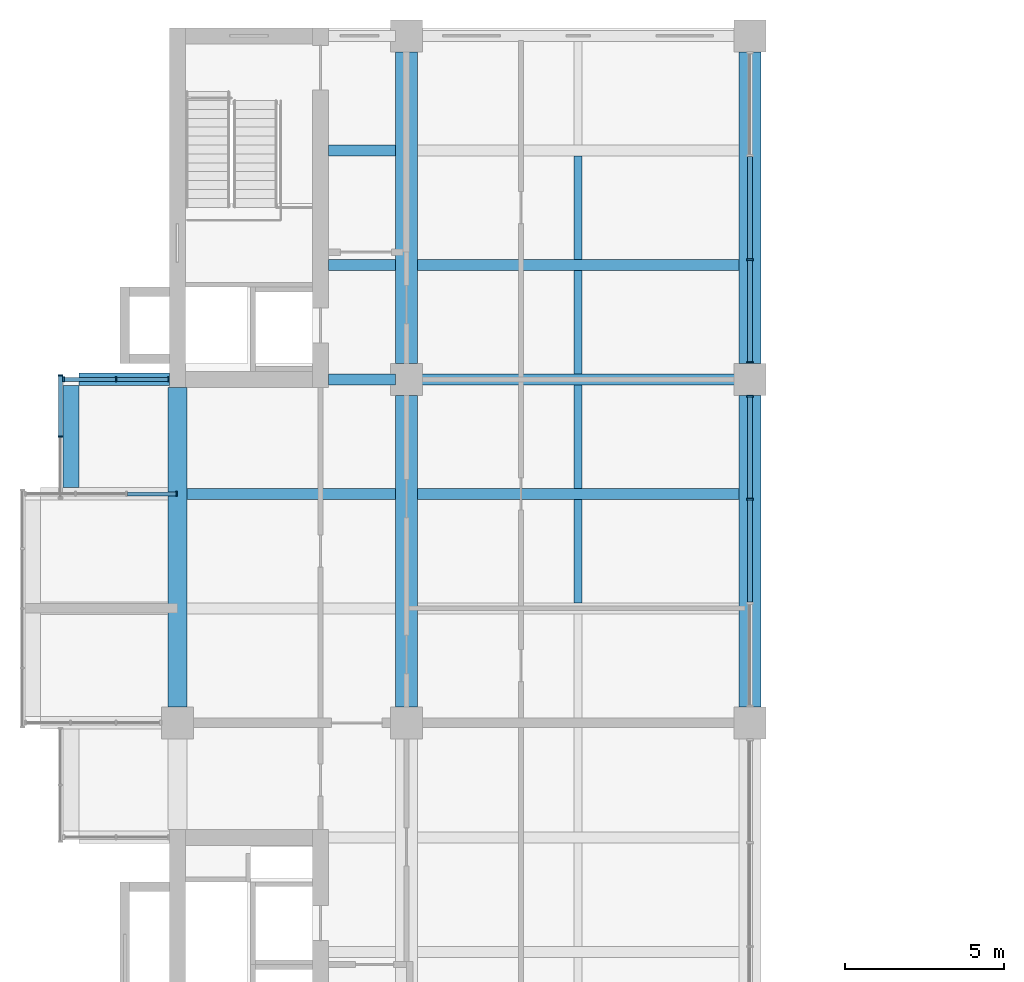
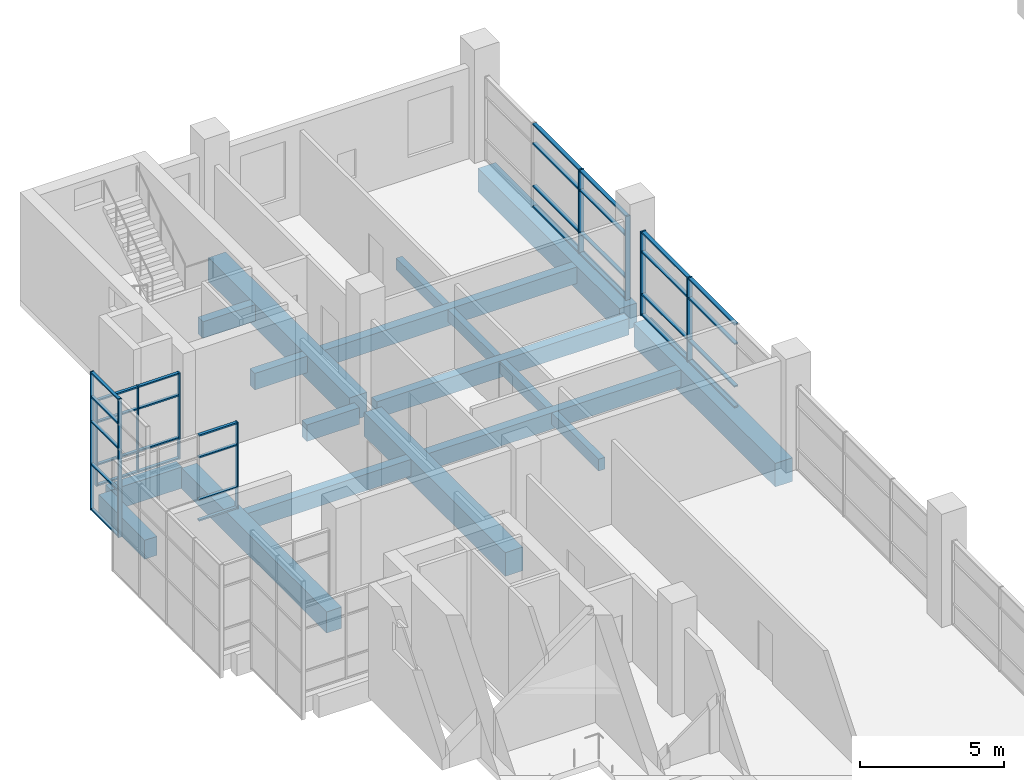
# One storey, part 9 of 30: 43 members, 18 beams, 5 elements without a shape of their own.
"""IFC4 building model written with IfcOpenShell, lengths in metres."""

from ifc_helpers import new_model, si_unit, direction, frame, origin, origin_2d, place, context, subcontext, project, spatial, rectangle, extrude, material, layer, layer_set, material_profile, profile_set, type_object, element, aggregate, save


model = new_model("IFC4")

# Units and contexts
model_context = context("Model", 3, precision=1e-05, world=origin(), true_north=direction((0.0, 1.0)))
body_context = subcontext(model_context, "Body", "Model", "MODEL_VIEW")
ifc_project = project(units=[si_unit("LENGTHUNIT", "METRE"), si_unit("AREAUNIT", "SQUARE_METRE"), si_unit("VOLUMEUNIT", "CUBIC_METRE"), si_unit("PLANEANGLEUNIT", "RADIAN"), si_unit("MASSUNIT", "GRAM", prefix="KILO")], contexts=[model_context])

# Site, building, storey
site_placement = place(None, origin())
site = spatial("IfcSite", under=ifc_project, at=site_placement, CompositionType="ELEMENT")
building_placement = place(site_placement, origin())
building = spatial("IfcBuilding", under=site, at=building_placement, Name="Basin Gate Institute", CompositionType="ELEMENT")
storey_placement = place(building_placement, frame((0.0, 0.0, 36.60009765625)))
storey = spatial("IfcBuildingStorey", under=building, at=storey_placement, Name="L07", CompositionType="ELEMENT", Elevation=36.60009765625)

# Beams
ifc_material_1 = material(Name="Concrete 40 MPa", Category="concrete")
ifc_material_profile_1 = material_profile(ifc_material_1, rectangle(XDim=0.35009765625, YDim=0.699951171875, at=origin_2d()), Name="Beam B1 350 x 700")
ifc_profile_set_1 = profile_set([ifc_material_profile_1], Name="Concrete 40 MPa")
beam_type_1 = type_object("IfcBeamType", Name="Beam B1 R120", PredefinedType="BEAM", material=ifc_profile_set_1)
beam_1_placement = place(storey_placement, frame((68.75, 85.5, -0.60009765625), z_axis=(1.0, 0.0, 0.0), x_axis=(0.0, 1.0, 0.0)))
element("IfcBeam", 1, at=beam_1_placement, inside=storey, type_object=beam_type_1, material=ifc_profile_set_1, Name="BEAM/L07/W/EW/15", PredefinedType="BEAM", context=body_context, shape_type="SweptSolid", body=[
    extrude(rectangle(XDim=0.35009765625, YDim=0.699951171875, at=origin_2d()), origin(), (0.0, 0.0, 1.0), 10.10009765625),
])
beam_2_placement = place(storey_placement, frame((61.5, 85.5, -0.60009765625), z_axis=(1.0, 0.0, 0.0), x_axis=(0.0, 1.0, 0.0)))
element("IfcBeam", 2, at=beam_2_placement, inside=storey, type_object=beam_type_1, material=ifc_profile_set_1, Name="BEAM/L07/W/OUT/15", PredefinedType="BEAM", context=body_context, shape_type="SweptSolid", body=[
    extrude(rectangle(XDim=0.35009765625, YDim=0.699951171875, at=origin_2d()), origin(), (0.0, 0.0, 1.0), 6.550048828125),
])
beam_3_placement = place(storey_placement, frame((68.75, 89.10009765625, -0.60009765625), z_axis=(1.0, 0.0, 0.0), x_axis=(0.0, 1.0, 0.0)))
element("IfcBeam", 3, at=beam_3_placement, inside=storey, type_object=beam_type_1, material=ifc_profile_set_1, Name="BEAM/L07/W/EW/16", PredefinedType="BEAM", context=body_context, shape_type="SweptSolid", body=[
    extrude(rectangle(XDim=0.35009765625, YDim=0.699951171875, at=origin_2d()), origin(), (0.0, 0.0, 1.0), 10.10009765625),
])
beam_4_placement = place(storey_placement, frame((65.949951171875, 89.10009765625, -0.60009765625), z_axis=(1.0, 0.0, 0.0), x_axis=(0.0, 1.0, 0.0)))
element("IfcBeam", 4, at=beam_4_placement, inside=storey, type_object=beam_type_1, material=ifc_profile_set_1, Name="BEAM/L07/W/CORR/16", PredefinedType="BEAM", context=body_context, shape_type="SweptSolid", body=[
    extrude(rectangle(XDim=0.35009765625, YDim=0.699951171875, at=origin_2d()), origin(), (0.0, 0.0, 1.0), 2.10009765625),
])
beam_5_placement = place(storey_placement, frame((68.75, 92.699951171875, -0.60009765625), z_axis=(1.0, 0.0, 0.0), x_axis=(0.0, 1.0, 0.0)))
element("IfcBeam", 5, at=beam_5_placement, inside=storey, type_object=beam_type_1, material=ifc_profile_set_1, Name="BEAM/L07/W/EW/17", PredefinedType="BEAM", context=body_context, shape_type="SweptSolid", body=[
    extrude(rectangle(XDim=0.35009765625, YDim=0.699951171875, at=origin_2d()), origin(), (0.0, 0.0, 1.0), 10.10009765625),
])
for number, where, z_axis, x_axis, name in (
    (6, (65.949951171875, 92.699951171875, -0.60009765625), (1.0, 0.0, 0.0), (0.0, 1.0, 0.0), "BEAM/L07/W/CORR/17"),
    (7, (65.949951171875, 96.300048828125, -0.60009765625), (1.0, 0.0, 0.0), (0.0, 1.0, 0.0), "BEAM/L07/W/CORR/18"),
):
    element("IfcBeam", number, at=place(storey_placement, frame(where, z_axis=z_axis, x_axis=x_axis)), inside=storey, type_object=beam_type_1, material=ifc_profile_set_1, Name=name, PredefinedType="BEAM", context=body_context, shape_type="SweptSolid", body=[
        extrude(rectangle(XDim=0.35009765625, YDim=0.699951171875, at=origin_2d()), origin(), (0.0, 0.0, 1.0), 2.10009765625),
    ])
ifc_material_2 = material(Name="Concrete 50 MPa", Category="concrete")
ifc_material_profile_2 = material_profile(ifc_material_2, rectangle(XDim=0.39990234375, YDim=0.89990234375, at=origin_2d()), Name="Cantilever beam B3 400 x 900")
ifc_profile_set_2 = profile_set([ifc_material_profile_2], Name="Concrete 50 MPa")
beam_type_2 = type_object("IfcBeamType", Name="Cantilever beam B3 R120", PredefinedType="BEAM", material=ifc_profile_set_2)
beam_6_placement = place(storey_placement, frame((58.10009765625, 89.10009765625, -0.7001953125), z_axis=(1.0, 0.0, 0.0), x_axis=(0.0, 1.0, 0.0)))
element("IfcBeam", 8, at=beam_6_placement, inside=storey, type_object=beam_type_2, material=ifc_profile_set_2, Name="BEAM/L07/W/CANT/16", PredefinedType="BEAM", context=body_context, shape_type="SweptSolid", body=[
    extrude(rectangle(XDim=0.39990234375, YDim=0.89990234375, at=origin_2d()), origin(), (0.0, 0.0, 1.0), 2.849853515625),
])
ifc_material_3 = material(Name="Concrete 50 MPa", Category="concrete")
ifc_material_profile_3 = material_profile(ifc_material_3, rectangle(XDim=0.60009765625, YDim=0.89990234375, at=origin_2d()), Name="Edge beam EB1 600 x 900")
ifc_profile_set_3 = profile_set([ifc_material_profile_3], Name="Concrete 50 MPa")
beam_type_3 = type_object("IfcBeamType", Name="Edge beam EB1 R120", PredefinedType="SPANDREL", material=ifc_profile_set_3)
beam_7_placement = place(storey_placement, frame((61.199951171875, 78.800048828125, -0.7001953125), z_axis=(0.0, 1.0, 0.0), x_axis=(-1.0, 0.0, 0.0)))
element("IfcBeam", 9, at=beam_7_placement, inside=storey, type_object=beam_type_3, material=ifc_profile_set_3, Name="BEAM/L07/W/EDGE/4", PredefinedType="SPANDREL", context=body_context, shape_type="SweptSolid", body=[
    extrude(rectangle(XDim=0.60009765625, YDim=0.89990234375, at=origin_2d()), origin(), (0.0, 0.0, 1.0), 10.050048828125),
])
ifc_material_4 = material(Name="Concrete 50 MPa", Category="concrete")
ifc_material_profile_4 = material_profile(ifc_material_4, rectangle(XDim=0.699951171875, YDim=1.0, at=origin_2d()), Name="Girder G1 700 x 1000")
ifc_profile_set_4 = profile_set([ifc_material_profile_4], Name="Concrete 50 MPa")
beam_type_4 = type_object("IfcBeamType", Name="Girder G1 R120", PredefinedType="BEAM", material=ifc_profile_set_4)
beam_8_placement = place(storey_placement, frame((68.39990234375, 78.800048828125, -0.75), z_axis=(0.0, 1.0, 0.0), x_axis=(-1.0, 0.0, 0.0)))
element("IfcBeam", 10, at=beam_8_placement, inside=storey, type_object=beam_type_4, material=ifc_profile_set_4, Name="GIR/L07/W5/5", PredefinedType="BEAM", context=body_context, shape_type="SweptSolid", body=[
    extrude(rectangle(XDim=0.699951171875, YDim=1.0, at=origin_2d()), origin(), (0.0, 0.0, 1.0), 9.800048828125),
])
beam_9_placement = place(storey_placement, frame((68.39990234375, 89.60009765625, -0.75), z_axis=(0.0, 1.0, 0.0), x_axis=(-1.0, 0.0, 0.0)))
element("IfcBeam", 11, at=beam_9_placement, inside=storey, type_object=beam_type_4, material=ifc_profile_set_4, Name="GIR/L07/W5/6", PredefinedType="BEAM", context=body_context, shape_type="SweptSolid", body=[
    extrude(rectangle(XDim=0.699951171875, YDim=1.0, at=origin_2d()), origin(), (0.0, 0.0, 1.0), 9.7998046875),
])
beam_10_placement = place(storey_placement, frame((79.199951171875, 78.800048828125, -0.75), z_axis=(0.0, 1.0, 0.0), x_axis=(-1.0, 0.0, 0.0)))
element("IfcBeam", 12, at=beam_10_placement, inside=storey, type_object=beam_type_4, material=ifc_profile_set_4, Name="GIR/L07/W6/5", PredefinedType="BEAM", context=body_context, shape_type="SweptSolid", body=[
    extrude(rectangle(XDim=0.699951171875, YDim=1.0, at=origin_2d()), origin(), (0.0, 0.0, 1.0), 9.800048828125),
])
beam_11_placement = place(storey_placement, frame((79.199951171875, 89.60009765625, -0.75), z_axis=(0.0, 1.0, 0.0), x_axis=(-1.0, 0.0, 0.0)))
element("IfcBeam", 13, at=beam_11_placement, inside=storey, type_object=beam_type_4, material=ifc_profile_set_4, Name="GIR/L07/W6/6", PredefinedType="BEAM", context=body_context, shape_type="SweptSolid", body=[
    extrude(rectangle(XDim=0.699951171875, YDim=1.0, at=origin_2d()), origin(), (0.0, 0.0, 1.0), 9.7998046875),
])

# Curtain wall, member
ifc_material_5 = material(Name="Aluminium-framed glazing", Category="aluminium")
ifc_layer_1 = layer(ifc_material_5, 0.14990234375)
ifc_layer_set_1 = layer_set([ifc_layer_1], Name="Capsule front curtain wall CW1")
curtain_wall_type_1 = type_object("IfcCurtainWallType", Name="Capsule front curtain wall CW1", PredefinedType="NOTDEFINED", material=ifc_layer_set_1)
curtain_wall_1_placement = place(storey_placement, origin())
curtain_wall_1 = element("IfcCurtainWall", 14, at=curtain_wall_1_placement, inside=storey, type_object=curtain_wall_type_1, material=ifc_layer_set_1, Name="Capsule front curtain wall W wing capsule end L07 line 15", PredefinedType="NOTDEFINED")
ifc_material_6 = material(Name="Aluminium", Category="aluminium")
ifc_material_profile_5 = material_profile(ifc_material_6, rectangle(XDim=0.14990234375, YDim=0.050048828125, at=origin_2d()), Name="Mullion MU1 150 x 50")
ifc_profile_set_5 = profile_set([ifc_material_profile_5], Name="Aluminium")
member_type_1 = type_object("IfcMemberType", Name="Mullion MU1", PredefinedType="MULLION", material=ifc_profile_set_5)
member_1_placement = place(storey_placement, frame((61.175048828125, 85.5, 0.0), z_axis=(0.0, 0.0, 1.0), x_axis=(0.0, 1.0, 0.0)))
member_1 = element("IfcMember", 15, at=member_1_placement, type_object=member_type_1, material=ifc_profile_set_5, Name="CW1 mullion 4", PredefinedType="MULLION", context=body_context, shape_type="SweptSolid", body=[
    extrude(rectangle(XDim=0.14990234375, YDim=0.050048828125, at=origin_2d()), origin(), (0.0, 0.0, 1.0), 3.64990234375),
])

# Curtain wall, members
curtain_wall_2_placement = place(storey_placement, origin())
curtain_wall_2 = element("IfcCurtainWall", 16, at=curtain_wall_2_placement, inside=storey, type_object=curtain_wall_type_1, material=ifc_layer_set_1, Name="Capsule front curtain wall W wing capsule end L07 line 16", PredefinedType="NOTDEFINED")
member_2_placement = place(storey_placement, frame((57.625, 89.10009765625, 0.0), z_axis=(0.0, 0.0, 1.0), x_axis=(0.0, 1.0, 0.0)))
member_2 = element("IfcMember", 17, at=member_2_placement, type_object=member_type_1, material=ifc_profile_set_5, Name="CW1 mullion 1", PredefinedType="MULLION", context=body_context, shape_type="SweptSolid", body=[
    extrude(rectangle(XDim=0.14990234375, YDim=0.050048828125, at=origin_2d()), origin(), (0.0, 0.0, 1.0), 3.64990234375),
])
member_3_placement = place(storey_placement, frame((59.27490234375, 89.10009765625, 0.0), z_axis=(0.0, 0.0, 1.0), x_axis=(0.0, 1.0, 0.0)))
member_3 = element("IfcMember", 18, at=member_3_placement, type_object=member_type_1, material=ifc_profile_set_5, Name="CW1 mullion 2", PredefinedType="MULLION", context=body_context, shape_type="SweptSolid", body=[
    extrude(rectangle(XDim=0.14990234375, YDim=0.050048828125, at=origin_2d()), origin(), (0.0, 0.0, 1.0), 3.64990234375),
])
member_4_placement = place(storey_placement, frame((60.925048828125, 89.10009765625, 0.0), z_axis=(0.0, 0.0, 1.0), x_axis=(0.0, 1.0, 0.0)))
member_4 = element("IfcMember", 19, at=member_4_placement, type_object=member_type_1, material=ifc_profile_set_5, Name="CW1 mullion 3", PredefinedType="MULLION", context=body_context, shape_type="SweptSolid", body=[
    extrude(rectangle(XDim=0.14990234375, YDim=0.050048828125, at=origin_2d()), origin(), (0.0, 0.0, 1.0), 3.64990234375),
])

curtain_wall_3_placement = place(storey_placement, origin())
curtain_wall_3 = element("IfcCurtainWall", 20, at=curtain_wall_3_placement, inside=storey, type_object=curtain_wall_type_1, material=ifc_layer_set_1, Name="Capsule front curtain wall W wing capsule 2 L07 front 4", PredefinedType="NOTDEFINED")
member_5_placement = place(storey_placement, frame((57.52490234375, 87.300048828125, -1.050048828125), z_axis=(0.0, 0.0, 1.0), x_axis=(-1.0, 0.0, 0.0)))
member_5 = element("IfcMember", 21, at=member_5_placement, type_object=member_type_1, material=ifc_profile_set_5, Name="CW1 mullion 2", PredefinedType="MULLION", context=body_context, shape_type="SweptSolid", body=[
    extrude(rectangle(XDim=0.14990234375, YDim=0.050048828125, at=origin_2d()), origin(), (0.0, 0.0, 1.0), 5.849853515625),
])
member_6_placement = place(storey_placement, frame((57.52490234375, 89.22509765625, -1.050048828125), z_axis=(0.0, 0.0, 1.0), x_axis=(-1.0, 0.0, 0.0)))
member_6 = element("IfcMember", 22, at=member_6_placement, type_object=member_type_1, material=ifc_profile_set_5, Name="CW1 mullion 3", PredefinedType="MULLION", context=body_context, shape_type="SweptSolid", body=[
    extrude(rectangle(XDim=0.14990234375, YDim=0.050048828125, at=origin_2d()), origin(), (0.0, 0.0, 1.0), 5.849853515625),
])

ifc_material_7 = material(Name="Aluminium-framed glazing", Category="aluminium")
ifc_layer_2 = layer(ifc_material_7, 0.199951171875)
ifc_layer_set_2 = layer_set([ifc_layer_2], Name="Atrium curtain wall CW2")
curtain_wall_type_2 = type_object("IfcCurtainWallType", Name="Atrium curtain wall CW2", PredefinedType="NOTDEFINED", material=ifc_layer_set_2)
curtain_wall_4_placement = place(storey_placement, origin())
curtain_wall_4 = element("IfcCurtainWall", 23, at=curtain_wall_4_placement, inside=storey, type_object=curtain_wall_type_2, material=ifc_layer_set_2, Name="Atrium curtain wall W wing atrium bay 5 L07", PredefinedType="NOTDEFINED")
ifc_material_8 = material(Name="Aluminium", Category="aluminium")
ifc_material_profile_6 = material_profile(ifc_material_8, rectangle(XDim=0.199951171875, YDim=0.06005859375, at=origin_2d()), Name="Mullion MU2 200 x 60")
ifc_profile_set_6 = profile_set([ifc_material_profile_6], Name="Aluminium")
member_type_2 = type_object("IfcMemberType", Name="Mullion MU2", PredefinedType="MULLION", material=ifc_profile_set_6)
member_7_placement = place(storey_placement, frame((79.199951171875, 85.333251953125, 0.0), z_axis=(0.0, 0.0, 1.0), x_axis=(-1.0, 0.0, 0.0)))
member_7 = element("IfcMember", 24, at=member_7_placement, type_object=member_type_2, material=ifc_profile_set_6, Name="CW2 mullion 3", PredefinedType="MULLION", context=body_context, shape_type="SweptSolid", body=[
    extrude(rectangle(XDim=0.199951171875, YDim=0.06005859375, at=origin_2d()), origin(), (0.0, 0.0, 1.0), 3.5498046875),
])
member_8_placement = place(storey_placement, frame((79.199951171875, 88.570068359375, 0.0), z_axis=(0.0, 0.0, 1.0), x_axis=(-1.0, 0.0, 0.0)))
member_8 = element("IfcMember", 25, at=member_8_placement, type_object=member_type_2, material=ifc_profile_set_6, Name="CW2 mullion 4", PredefinedType="MULLION", context=body_context, shape_type="SweptSolid", body=[
    extrude(rectangle(XDim=0.199951171875, YDim=0.06005859375, at=origin_2d()), origin(), (0.0, 0.0, 1.0), 3.5498046875),
])

curtain_wall_5_placement = place(storey_placement, origin())
curtain_wall_5 = element("IfcCurtainWall", 26, at=curtain_wall_5_placement, inside=storey, type_object=curtain_wall_type_2, material=ifc_layer_set_2, Name="Atrium curtain wall W wing atrium bay 6 L07", PredefinedType="NOTDEFINED")
member_9_placement = place(storey_placement, frame((79.199951171875, 89.6298828125, 0.0), z_axis=(0.0, 0.0, 1.0), x_axis=(-1.0, 0.0, 0.0)))
member_9 = element("IfcMember", 27, at=member_9_placement, type_object=member_type_2, material=ifc_profile_set_6, Name="CW2 mullion 1", PredefinedType="MULLION", context=body_context, shape_type="SweptSolid", body=[
    extrude(rectangle(XDim=0.199951171875, YDim=0.06005859375, at=origin_2d()), origin(), (0.0, 0.0, 1.0), 3.5498046875),
])
member_10_placement = place(storey_placement, frame((79.199951171875, 92.86669921875, 0.0), z_axis=(0.0, 0.0, 1.0), x_axis=(-1.0, 0.0, 0.0)))
member_10 = element("IfcMember", 28, at=member_10_placement, type_object=member_type_2, material=ifc_profile_set_6, Name="CW2 mullion 2", PredefinedType="MULLION", context=body_context, shape_type="SweptSolid", body=[
    extrude(rectangle(XDim=0.199951171875, YDim=0.06005859375, at=origin_2d()), origin(), (0.0, 0.0, 1.0), 3.5498046875),
])

# Beams
ifc_material_9 = material(Name="Concrete 40 MPa", Category="concrete")
ifc_material_profile_7 = material_profile(ifc_material_9, rectangle(XDim=0.25, YDim=0.5, at=origin_2d()), Name="Rib R1 250 x 500")
ifc_profile_set_7 = profile_set([ifc_material_profile_7], Name="Concrete 40 MPa")
beam_type_5 = type_object("IfcBeamType", Name="Rib R1 R120", PredefinedType="JOIST", material=ifc_profile_set_7)
for number, where, z_axis, x_axis, name in (
    (29, (73.800048828125, 82.074951171875, -0.5), (0.0, 1.0, 0.0), (-1.0, 0.0, 0.0), "BEAM/L07/W/RIB/14"),
    (30, (73.800048828125, 85.675048828125, -0.5), (0.0, 1.0, 0.0), (-1.0, 0.0, 0.0), "BEAM/L07/W/RIB/15"),
    (31, (73.800048828125, 89.27490234375, -0.5), (0.0, 1.0, 0.0), (-1.0, 0.0, 0.0), "BEAM/L07/W/RIB/16"),
    (32, (73.800048828125, 92.875, -0.5), (0.0, 1.0, 0.0), (-1.0, 0.0, 0.0), "BEAM/L07/W/RIB/17"),
):
    element("IfcBeam", number, at=place(storey_placement, frame(where, z_axis=z_axis, x_axis=x_axis)), inside=storey, type_object=beam_type_5, material=ifc_profile_set_7, Name=name, PredefinedType="JOIST", context=body_context, shape_type="SweptSolid", body=[
        extrude(rectangle(XDim=0.25, YDim=0.5, at=origin_2d()), origin(), (0.0, 0.0, 1.0), 3.25),
    ])
ifc_material_10 = material(Name="Concrete 50 MPa", Category="concrete")
ifc_material_profile_8 = material_profile(ifc_material_10, rectangle(XDim=0.5, YDim=0.800048828125, at=origin_2d()), Name="Tip beam TB1 500 x 800")
ifc_profile_set_8 = profile_set([ifc_material_profile_8], Name="Concrete 50 MPa")
beam_type_6 = type_object("IfcBeamType", Name="Tip beam TB1 R120", PredefinedType="SPANDREL", material=ifc_profile_set_8)
beam_12_placement = place(storey_placement, frame((57.85009765625, 85.699951171875, -0.650146484375), z_axis=(0.0, 1.0, 0.0), x_axis=(-1.0, 0.0, 0.0)))
element("IfcBeam", 33, at=beam_12_placement, inside=storey, type_object=beam_type_6, material=ifc_profile_set_8, Name="BEAM/L07/W/TIP/8", PredefinedType="SPANDREL", context=body_context, shape_type="SweptSolid", body=[
    extrude(rectangle(XDim=0.5, YDim=0.800048828125, at=origin_2d()), origin(), (0.0, 0.0, 1.0), 3.199951171875),
])

# Member
ifc_material_11 = material(Name="Aluminium", Category="aluminium")
ifc_material_profile_9 = material_profile(ifc_material_11, rectangle(XDim=0.1201171875, YDim=0.06005859375, at=origin_2d()), Name="Transom TR1 120 x 60")
ifc_profile_set_9 = profile_set([ifc_material_profile_9], Name="Aluminium")
member_type_3 = type_object("IfcMemberType", Name="Transom TR1", PredefinedType="USERDEFINED", material=ifc_profile_set_9)
member_11_placement = place(storey_placement, frame((59.625, 85.5, 0.02978515625), z_axis=(1.0, 0.0, 0.0), x_axis=(0.0, 1.0, 0.0)))
member_11 = element("IfcMember", 34, at=member_11_placement, type_object=member_type_3, material=ifc_profile_set_9, Name="CW1 transom 3.1", ObjectType="TRANSOM", PredefinedType="USERDEFINED", context=body_context, shape_type="SweptSolid", body=[
    extrude(rectangle(XDim=0.1201171875, YDim=0.06005859375, at=origin_2d()), origin(), (0.0, 0.0, 1.0), 1.52490234375),
])

member_12_placement = place(storey_placement, frame((59.625, 85.5, 0.89990234375), z_axis=(1.0, 0.0, 0.0), x_axis=(0.0, 1.0, 0.0)))
member_12 = element("IfcMember", 35, at=member_12_placement, type_object=member_type_3, material=ifc_profile_set_9, Name="CW1 transom 3.2", ObjectType="TRANSOM", PredefinedType="USERDEFINED", context=body_context, shape_type="SweptSolid", body=[
    extrude(rectangle(XDim=0.1201171875, YDim=0.06005859375, at=origin_2d()), origin(), (0.0, 0.0, 1.0), 1.52490234375),
])

member_13_placement = place(storey_placement, frame((59.625, 85.5, 2.699951171875), z_axis=(1.0, 0.0, 0.0), x_axis=(0.0, 1.0, 0.0)))
member_13 = element("IfcMember", 36, at=member_13_placement, type_object=member_type_3, material=ifc_profile_set_9, Name="CW1 transom 3.3", ObjectType="TRANSOM", PredefinedType="USERDEFINED", context=body_context, shape_type="SweptSolid", body=[
    extrude(rectangle(XDim=0.1201171875, YDim=0.06005859375, at=origin_2d()), origin(), (0.0, 0.0, 1.0), 1.52490234375),
])

member_14_placement = place(storey_placement, frame((59.625, 85.5, 3.619873046875), z_axis=(1.0, 0.0, 0.0), x_axis=(0.0, 1.0, 0.0)))
member_14 = element("IfcMember", 37, at=member_14_placement, type_object=member_type_3, material=ifc_profile_set_9, Name="CW1 transom 3.4", ObjectType="TRANSOM", PredefinedType="USERDEFINED", context=body_context, shape_type="SweptSolid", body=[
    extrude(rectangle(XDim=0.1201171875, YDim=0.06005859375, at=origin_2d()), origin(), (0.0, 0.0, 1.0), 1.52490234375),
])

aggregate(curtain_wall_1, [member_1, member_11, member_12, member_13, member_14])

member_15_placement = place(storey_placement, frame((57.64990234375, 89.10009765625, 0.02978515625), z_axis=(1.0, 0.0, 0.0), x_axis=(0.0, 1.0, 0.0)))
member_15 = element("IfcMember", 38, at=member_15_placement, type_object=member_type_3, material=ifc_profile_set_9, Name="CW1 transom 1.1", ObjectType="TRANSOM", PredefinedType="USERDEFINED", context=body_context, shape_type="SweptSolid", body=[
    extrude(rectangle(XDim=0.1201171875, YDim=0.06005859375, at=origin_2d()), origin(), (0.0, 0.0, 1.0), 1.60009765625),
])

member_16_placement = place(storey_placement, frame((57.64990234375, 89.10009765625, 0.89990234375), z_axis=(1.0, 0.0, 0.0), x_axis=(0.0, 1.0, 0.0)))
member_16 = element("IfcMember", 39, at=member_16_placement, type_object=member_type_3, material=ifc_profile_set_9, Name="CW1 transom 1.2", ObjectType="TRANSOM", PredefinedType="USERDEFINED", context=body_context, shape_type="SweptSolid", body=[
    extrude(rectangle(XDim=0.1201171875, YDim=0.06005859375, at=origin_2d()), origin(), (0.0, 0.0, 1.0), 1.60009765625),
])

member_17_placement = place(storey_placement, frame((57.64990234375, 89.10009765625, 2.699951171875), z_axis=(1.0, 0.0, 0.0), x_axis=(0.0, 1.0, 0.0)))
member_17 = element("IfcMember", 40, at=member_17_placement, type_object=member_type_3, material=ifc_profile_set_9, Name="CW1 transom 1.3", ObjectType="TRANSOM", PredefinedType="USERDEFINED", context=body_context, shape_type="SweptSolid", body=[
    extrude(rectangle(XDim=0.1201171875, YDim=0.06005859375, at=origin_2d()), origin(), (0.0, 0.0, 1.0), 1.60009765625),
])

member_18_placement = place(storey_placement, frame((57.64990234375, 89.10009765625, 3.619873046875), z_axis=(1.0, 0.0, 0.0), x_axis=(0.0, 1.0, 0.0)))
member_18 = element("IfcMember", 41, at=member_18_placement, type_object=member_type_3, material=ifc_profile_set_9, Name="CW1 transom 1.4", ObjectType="TRANSOM", PredefinedType="USERDEFINED", context=body_context, shape_type="SweptSolid", body=[
    extrude(rectangle(XDim=0.1201171875, YDim=0.06005859375, at=origin_2d()), origin(), (0.0, 0.0, 1.0), 1.60009765625),
])

member_19_placement = place(storey_placement, frame((59.300048828125, 89.10009765625, 0.02978515625), z_axis=(1.0, 0.0, 0.0), x_axis=(0.0, 1.0, 0.0)))
member_19 = element("IfcMember", 42, at=member_19_placement, type_object=member_type_3, material=ifc_profile_set_9, Name="CW1 transom 2.1", ObjectType="TRANSOM", PredefinedType="USERDEFINED", context=body_context, shape_type="SweptSolid", body=[
    extrude(rectangle(XDim=0.1201171875, YDim=0.06005859375, at=origin_2d()), origin(), (0.0, 0.0, 1.0), 1.599853515625),
])

member_20_placement = place(storey_placement, frame((59.300048828125, 89.10009765625, 0.89990234375), z_axis=(1.0, 0.0, 0.0), x_axis=(0.0, 1.0, 0.0)))
member_20 = element("IfcMember", 43, at=member_20_placement, type_object=member_type_3, material=ifc_profile_set_9, Name="CW1 transom 2.2", ObjectType="TRANSOM", PredefinedType="USERDEFINED", context=body_context, shape_type="SweptSolid", body=[
    extrude(rectangle(XDim=0.1201171875, YDim=0.06005859375, at=origin_2d()), origin(), (0.0, 0.0, 1.0), 1.599853515625),
])

member_21_placement = place(storey_placement, frame((59.300048828125, 89.10009765625, 2.699951171875), z_axis=(1.0, 0.0, 0.0), x_axis=(0.0, 1.0, 0.0)))
member_21 = element("IfcMember", 44, at=member_21_placement, type_object=member_type_3, material=ifc_profile_set_9, Name="CW1 transom 2.3", ObjectType="TRANSOM", PredefinedType="USERDEFINED", context=body_context, shape_type="SweptSolid", body=[
    extrude(rectangle(XDim=0.1201171875, YDim=0.06005859375, at=origin_2d()), origin(), (0.0, 0.0, 1.0), 1.599853515625),
])

member_22_placement = place(storey_placement, frame((59.300048828125, 89.10009765625, 3.619873046875), z_axis=(1.0, 0.0, 0.0), x_axis=(0.0, 1.0, 0.0)))
member_22 = element("IfcMember", 45, at=member_22_placement, type_object=member_type_3, material=ifc_profile_set_9, Name="CW1 transom 2.4", ObjectType="TRANSOM", PredefinedType="USERDEFINED", context=body_context, shape_type="SweptSolid", body=[
    extrude(rectangle(XDim=0.1201171875, YDim=0.06005859375, at=origin_2d()), origin(), (0.0, 0.0, 1.0), 1.599853515625),
])

aggregate(curtain_wall_2, [member_2, member_3, member_4, member_15, member_16, member_17, member_18, member_19, member_20, member_21, member_22])

member_23_placement = place(storey_placement, frame((57.52490234375, 87.324951171875, -1.02001953125), z_axis=(0.0, 1.0, 0.0), x_axis=(-1.0, 0.0, 0.0)))
member_23 = element("IfcMember", 46, at=member_23_placement, type_object=member_type_3, material=ifc_profile_set_9, Name="CW1 transom 2.1", ObjectType="TRANSOM", PredefinedType="USERDEFINED", context=body_context, shape_type="SweptSolid", body=[
    extrude(rectangle(XDim=0.1201171875, YDim=0.06005859375, at=origin_2d()), origin(), (0.0, 0.0, 1.0), 1.875),
])

member_24_placement = place(storey_placement, frame((57.52490234375, 87.324951171875, 0.89990234375), z_axis=(0.0, 1.0, 0.0), x_axis=(-1.0, 0.0, 0.0)))
member_24 = element("IfcMember", 47, at=member_24_placement, type_object=member_type_3, material=ifc_profile_set_9, Name="CW1 transom 2.2", ObjectType="TRANSOM", PredefinedType="USERDEFINED", context=body_context, shape_type="SweptSolid", body=[
    extrude(rectangle(XDim=0.1201171875, YDim=0.06005859375, at=origin_2d()), origin(), (0.0, 0.0, 1.0), 1.875),
])

member_25_placement = place(storey_placement, frame((57.52490234375, 87.324951171875, 2.699951171875), z_axis=(0.0, 1.0, 0.0), x_axis=(-1.0, 0.0, 0.0)))
member_25 = element("IfcMember", 48, at=member_25_placement, type_object=member_type_3, material=ifc_profile_set_9, Name="CW1 transom 2.3", ObjectType="TRANSOM", PredefinedType="USERDEFINED", context=body_context, shape_type="SweptSolid", body=[
    extrude(rectangle(XDim=0.1201171875, YDim=0.06005859375, at=origin_2d()), origin(), (0.0, 0.0, 1.0), 1.875),
])

member_26_placement = place(storey_placement, frame((57.52490234375, 87.324951171875, 3.75), z_axis=(0.0, 1.0, 0.0), x_axis=(-1.0, 0.0, 0.0)))
member_26 = element("IfcMember", 49, at=member_26_placement, type_object=member_type_3, material=ifc_profile_set_9, Name="CW1 transom 2.4", ObjectType="TRANSOM", PredefinedType="USERDEFINED", context=body_context, shape_type="SweptSolid", body=[
    extrude(rectangle(XDim=0.1201171875, YDim=0.06005859375, at=origin_2d()), origin(), (0.0, 0.0, 1.0), 1.875),
])

member_27_placement = place(storey_placement, frame((57.52490234375, 87.324951171875, 4.77001953125), z_axis=(0.0, 1.0, 0.0), x_axis=(-1.0, 0.0, 0.0)))
member_27 = element("IfcMember", 50, at=member_27_placement, type_object=member_type_3, material=ifc_profile_set_9, Name="CW1 transom 2.5", ObjectType="TRANSOM", PredefinedType="USERDEFINED", context=body_context, shape_type="SweptSolid", body=[
    extrude(rectangle(XDim=0.1201171875, YDim=0.06005859375, at=origin_2d()), origin(), (0.0, 0.0, 1.0), 1.875),
])

aggregate(curtain_wall_3, [member_5, member_6, member_23, member_24, member_25, member_26, member_27])

ifc_material_12 = material(Name="Aluminium", Category="aluminium")
ifc_material_profile_10 = material_profile(ifc_material_12, rectangle(XDim=0.14990234375, YDim=0.06005859375, at=origin_2d()), Name="Transom TR2 150 x 60")
ifc_profile_set_10 = profile_set([ifc_material_profile_10], Name="Aluminium")
member_type_4 = type_object("IfcMemberType", Name="Transom TR2", PredefinedType="USERDEFINED", material=ifc_profile_set_10)
member_28_placement = place(storey_placement, frame((79.199951171875, 82.0966796875, 0.02978515625), z_axis=(0.0, 1.0, 0.0), x_axis=(-1.0, 0.0, 0.0)))
member_28 = element("IfcMember", 51, at=member_28_placement, type_object=member_type_4, material=ifc_profile_set_10, Name="CW2 transom 2.1", ObjectType="TRANSOM", PredefinedType="USERDEFINED", context=body_context, shape_type="SweptSolid", body=[
    extrude(rectangle(XDim=0.14990234375, YDim=0.06005859375, at=origin_2d()), origin(), (0.0, 0.0, 1.0), 3.20654296875),
])

member_29_placement = place(storey_placement, frame((79.199951171875, 82.0966796875, 0.89990234375), z_axis=(0.0, 1.0, 0.0), x_axis=(-1.0, 0.0, 0.0)))
member_29 = element("IfcMember", 52, at=member_29_placement, type_object=member_type_4, material=ifc_profile_set_10, Name="CW2 transom 2.2", ObjectType="TRANSOM", PredefinedType="USERDEFINED", context=body_context, shape_type="SweptSolid", body=[
    extrude(rectangle(XDim=0.14990234375, YDim=0.06005859375, at=origin_2d()), origin(), (0.0, 0.0, 1.0), 3.20654296875),
])

member_30_placement = place(storey_placement, frame((79.199951171875, 82.0966796875, 2.699951171875), z_axis=(0.0, 1.0, 0.0), x_axis=(-1.0, 0.0, 0.0)))
member_30 = element("IfcMember", 53, at=member_30_placement, type_object=member_type_4, material=ifc_profile_set_10, Name="CW2 transom 2.3", ObjectType="TRANSOM", PredefinedType="USERDEFINED", context=body_context, shape_type="SweptSolid", body=[
    extrude(rectangle(XDim=0.14990234375, YDim=0.06005859375, at=origin_2d()), origin(), (0.0, 0.0, 1.0), 3.20654296875),
])

member_31_placement = place(storey_placement, frame((79.199951171875, 82.0966796875, 3.52001953125), z_axis=(0.0, 1.0, 0.0), x_axis=(-1.0, 0.0, 0.0)))
member_31 = element("IfcMember", 54, at=member_31_placement, type_object=member_type_4, material=ifc_profile_set_10, Name="CW2 transom 2.4", ObjectType="TRANSOM", PredefinedType="USERDEFINED", context=body_context, shape_type="SweptSolid", body=[
    extrude(rectangle(XDim=0.14990234375, YDim=0.06005859375, at=origin_2d()), origin(), (0.0, 0.0, 1.0), 3.20654296875),
])

member_32_placement = place(storey_placement, frame((79.199951171875, 85.36328125, 0.02978515625), z_axis=(0.0, 1.0, 0.0), x_axis=(-1.0, 0.0, 0.0)))
member_32 = element("IfcMember", 55, at=member_32_placement, type_object=member_type_4, material=ifc_profile_set_10, Name="CW2 transom 3.1", ObjectType="TRANSOM", PredefinedType="USERDEFINED", context=body_context, shape_type="SweptSolid", body=[
    extrude(rectangle(XDim=0.14990234375, YDim=0.06005859375, at=origin_2d()), origin(), (0.0, 0.0, 1.0), 3.1767578125),
])

member_33_placement = place(storey_placement, frame((79.199951171875, 85.36328125, 0.89990234375), z_axis=(0.0, 1.0, 0.0), x_axis=(-1.0, 0.0, 0.0)))
member_33 = element("IfcMember", 56, at=member_33_placement, type_object=member_type_4, material=ifc_profile_set_10, Name="CW2 transom 3.2", ObjectType="TRANSOM", PredefinedType="USERDEFINED", context=body_context, shape_type="SweptSolid", body=[
    extrude(rectangle(XDim=0.14990234375, YDim=0.06005859375, at=origin_2d()), origin(), (0.0, 0.0, 1.0), 3.1767578125),
])

member_34_placement = place(storey_placement, frame((79.199951171875, 85.36328125, 2.699951171875), z_axis=(0.0, 1.0, 0.0), x_axis=(-1.0, 0.0, 0.0)))
member_34 = element("IfcMember", 57, at=member_34_placement, type_object=member_type_4, material=ifc_profile_set_10, Name="CW2 transom 3.3", ObjectType="TRANSOM", PredefinedType="USERDEFINED", context=body_context, shape_type="SweptSolid", body=[
    extrude(rectangle(XDim=0.14990234375, YDim=0.06005859375, at=origin_2d()), origin(), (0.0, 0.0, 1.0), 3.1767578125),
])

member_35_placement = place(storey_placement, frame((79.199951171875, 85.36328125, 3.52001953125), z_axis=(0.0, 1.0, 0.0), x_axis=(-1.0, 0.0, 0.0)))
member_35 = element("IfcMember", 58, at=member_35_placement, type_object=member_type_4, material=ifc_profile_set_10, Name="CW2 transom 3.4", ObjectType="TRANSOM", PredefinedType="USERDEFINED", context=body_context, shape_type="SweptSolid", body=[
    extrude(rectangle(XDim=0.14990234375, YDim=0.06005859375, at=origin_2d()), origin(), (0.0, 0.0, 1.0), 3.1767578125),
])

aggregate(curtain_wall_4, [member_7, member_8, member_28, member_29, member_30, member_31, member_32, member_33, member_34, member_35])

member_36_placement = place(storey_placement, frame((79.199951171875, 89.659912109375, 0.02978515625), z_axis=(0.0, 1.0, 0.0), x_axis=(-1.0, 0.0, 0.0)))
member_36 = element("IfcMember", 59, at=member_36_placement, type_object=member_type_4, material=ifc_profile_set_10, Name="CW2 transom 1.1", ObjectType="TRANSOM", PredefinedType="USERDEFINED", context=body_context, shape_type="SweptSolid", body=[
    extrude(rectangle(XDim=0.14990234375, YDim=0.06005859375, at=origin_2d()), origin(), (0.0, 0.0, 1.0), 3.1767578125),
])

member_37_placement = place(storey_placement, frame((79.199951171875, 89.659912109375, 0.89990234375), z_axis=(0.0, 1.0, 0.0), x_axis=(-1.0, 0.0, 0.0)))
member_37 = element("IfcMember", 60, at=member_37_placement, type_object=member_type_4, material=ifc_profile_set_10, Name="CW2 transom 1.2", ObjectType="TRANSOM", PredefinedType="USERDEFINED", context=body_context, shape_type="SweptSolid", body=[
    extrude(rectangle(XDim=0.14990234375, YDim=0.06005859375, at=origin_2d()), origin(), (0.0, 0.0, 1.0), 3.1767578125),
])

member_38_placement = place(storey_placement, frame((79.199951171875, 89.659912109375, 2.699951171875), z_axis=(0.0, 1.0, 0.0), x_axis=(-1.0, 0.0, 0.0)))
member_38 = element("IfcMember", 61, at=member_38_placement, type_object=member_type_4, material=ifc_profile_set_10, Name="CW2 transom 1.3", ObjectType="TRANSOM", PredefinedType="USERDEFINED", context=body_context, shape_type="SweptSolid", body=[
    extrude(rectangle(XDim=0.14990234375, YDim=0.06005859375, at=origin_2d()), origin(), (0.0, 0.0, 1.0), 3.1767578125),
])

member_39_placement = place(storey_placement, frame((79.199951171875, 89.659912109375, 3.52001953125), z_axis=(0.0, 1.0, 0.0), x_axis=(-1.0, 0.0, 0.0)))
member_39 = element("IfcMember", 62, at=member_39_placement, type_object=member_type_4, material=ifc_profile_set_10, Name="CW2 transom 1.4", ObjectType="TRANSOM", PredefinedType="USERDEFINED", context=body_context, shape_type="SweptSolid", body=[
    extrude(rectangle(XDim=0.14990234375, YDim=0.06005859375, at=origin_2d()), origin(), (0.0, 0.0, 1.0), 3.1767578125),
])

member_40_placement = place(storey_placement, frame((79.199951171875, 92.896728515625, 0.02978515625), z_axis=(0.0, 1.0, 0.0), x_axis=(-1.0, 0.0, 0.0)))
member_40 = element("IfcMember", 63, at=member_40_placement, type_object=member_type_4, material=ifc_profile_set_10, Name="CW2 transom 2.1", ObjectType="TRANSOM", PredefinedType="USERDEFINED", context=body_context, shape_type="SweptSolid", body=[
    extrude(rectangle(XDim=0.14990234375, YDim=0.06005859375, at=origin_2d()), origin(), (0.0, 0.0, 1.0), 3.20654296875),
])

member_41_placement = place(storey_placement, frame((79.199951171875, 92.896728515625, 0.89990234375), z_axis=(0.0, 1.0, 0.0), x_axis=(-1.0, 0.0, 0.0)))
member_41 = element("IfcMember", 64, at=member_41_placement, type_object=member_type_4, material=ifc_profile_set_10, Name="CW2 transom 2.2", ObjectType="TRANSOM", PredefinedType="USERDEFINED", context=body_context, shape_type="SweptSolid", body=[
    extrude(rectangle(XDim=0.14990234375, YDim=0.06005859375, at=origin_2d()), origin(), (0.0, 0.0, 1.0), 3.20654296875),
])

member_42_placement = place(storey_placement, frame((79.199951171875, 92.896728515625, 2.699951171875), z_axis=(0.0, 1.0, 0.0), x_axis=(-1.0, 0.0, 0.0)))
member_42 = element("IfcMember", 65, at=member_42_placement, type_object=member_type_4, material=ifc_profile_set_10, Name="CW2 transom 2.3", ObjectType="TRANSOM", PredefinedType="USERDEFINED", context=body_context, shape_type="SweptSolid", body=[
    extrude(rectangle(XDim=0.14990234375, YDim=0.06005859375, at=origin_2d()), origin(), (0.0, 0.0, 1.0), 3.20654296875),
])

member_43_placement = place(storey_placement, frame((79.199951171875, 92.896728515625, 3.52001953125), z_axis=(0.0, 1.0, 0.0), x_axis=(-1.0, 0.0, 0.0)))
member_43 = element("IfcMember", 66, at=member_43_placement, type_object=member_type_4, material=ifc_profile_set_10, Name="CW2 transom 2.4", ObjectType="TRANSOM", PredefinedType="USERDEFINED", context=body_context, shape_type="SweptSolid", body=[
    extrude(rectangle(XDim=0.14990234375, YDim=0.06005859375, at=origin_2d()), origin(), (0.0, 0.0, 1.0), 3.20654296875),
])

aggregate(curtain_wall_5, [member_9, member_10, member_36, member_37, member_38, member_39, member_40, member_41, member_42, member_43])

save(model, "model.ifc")
